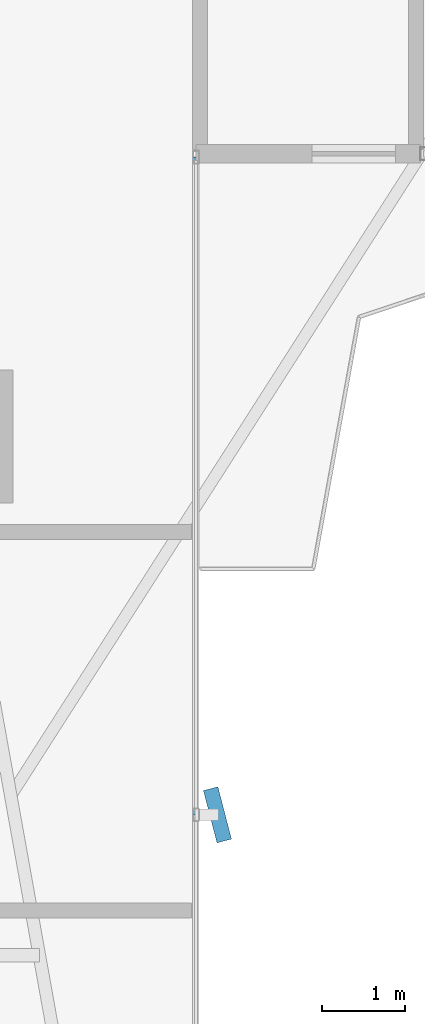
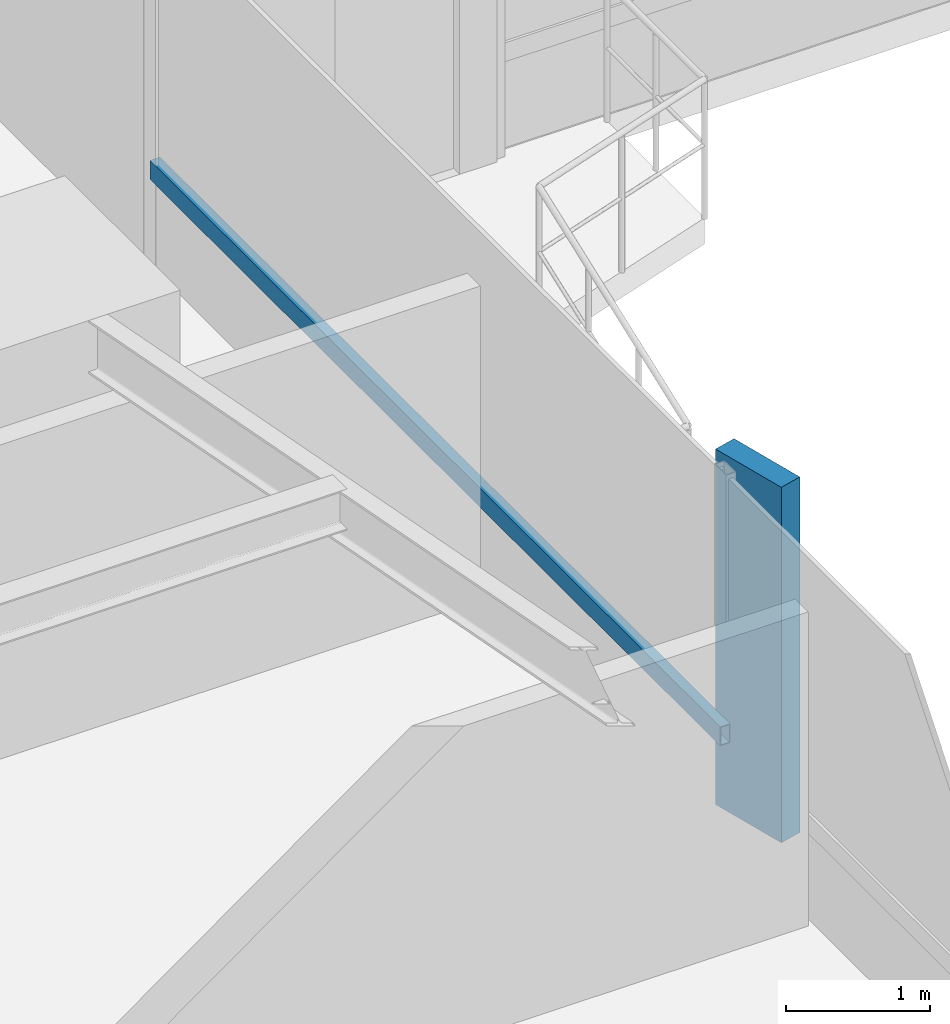
# One storey, part 5 of 25: 2 members, 1 element without a shape of its own.
"""IFC4 building model written with IfcOpenShell, lengths in metres."""

from ifc_helpers import new_model, si_unit, direction, frame, origin, origin_2d, place, context, subcontext, project, spatial, rectangle, hollow_rectangle, extrude, source, transform, mapped, material, material_profile, profile_set, type_object, element, aggregate, save


model = new_model("IFC4")

# Units and contexts
model_context = context("Model", 3, precision=1e-05, world=origin(), true_north=direction((0.0, 1.0)))
body_context = subcontext(model_context, "Body", "Model", "MODEL_VIEW")
ifc_project = project(units=[si_unit("LENGTHUNIT", "METRE"), si_unit("AREAUNIT", "SQUARE_METRE"), si_unit("VOLUMEUNIT", "CUBIC_METRE"), si_unit("PLANEANGLEUNIT", "RADIAN"), si_unit("MASSUNIT", "GRAM", prefix="KILO")], contexts=[model_context])

# Site, building, storey
site_placement = place(None, origin())
site = spatial("IfcSite", under=ifc_project, at=site_placement, CompositionType="ELEMENT")
building_placement = place(site_placement, origin())
building = spatial("IfcBuilding", under=site, at=building_placement, Name="Sahyath Konkavel Grand Hotel", CompositionType="ELEMENT")
storey_placement = place(building_placement, frame((0.0, 0.0, 57.75)))
storey = spatial("IfcBuildingStorey", under=building, at=storey_placement, Name="L15", CompositionType="ELEMENT", Elevation=57.75)

# Curtain wall, members
ifc_material_1 = material(Name="Anodised Bronze Aluminium & Low-E Glazing", Category="aluminium")
curtain_wall_type = type_object("IfcCurtainWallType", Name="CW-ZONE1", PredefinedType="NOTDEFINED", material=ifc_material_1)
curtain_wall_placement = place(storey_placement, origin())
curtain_wall = element("IfcCurtainWall", 1, at=curtain_wall_placement, inside=storey, type_object=curtain_wall_type, Name="L15 Unitised Curtain Wall F31", PredefinedType="NOTDEFINED")
ifc_material_2 = material(Name="Warm Buff Sandstone Cladding on Concrete C50/60", Category="masonry")
ifc_material_profile_1 = material_profile(ifc_material_2, rectangle(XDim=0.179931640625, YDim=0.64990234375, at=origin_2d()), Name="FIN 180x650")
ifc_profile_set_1 = profile_set([ifc_material_profile_1], Name="Warm Buff Sandstone Cladding on Concrete C50/60")
member_type_1 = type_object("IfcMemberType", Name="FIN-SANDSTONE-650", PredefinedType="MULLION", material=ifc_profile_set_1)
shared_shape_1 = source(origin(), body_context, "Body", "SweptSolid", [
    extrude(rectangle(XDim=0.179931640625, YDim=0.64990234375, at=origin_2d()), origin(), (0.0, 0.0, 1.0), 3.010009765625),
])
member_1_placement = place(storey_placement, frame((7.06005859375, -14.75, 0.050048828125), z_axis=(0.0, 0.0, 1.0), x_axis=(0.967884912253, 0.251393708421, 0.0)))
member_1 = element("IfcMember", 2, at=member_1_placement, type_object=member_type_1, Name="L15 Sandstone Vertical Solar Fin FIN F31-1", PredefinedType="MULLION", context=body_context, shape_type="MappedRepresentation", body=[
    mapped(shared_shape_1, transform((0.0, 0.0, 0.0), scale=1.0)),
])
ifc_material_3 = material(Name="Anodised Bronze Aluminium", Category="aluminium")
ifc_material_profile_2 = material_profile(ifc_material_3, hollow_rectangle(XDim=0.080078125, YDim=0.159912109375, WallThickness=0.006103515625, at=origin_2d()), Name="RHS 160x80x6")
ifc_profile_set_2 = profile_set([ifc_material_profile_2], Name="Anodised Bronze Aluminium")
member_type_2 = type_object("IfcMemberType", Name="CW-TRN-160", PredefinedType="USERDEFINED", material=ifc_profile_set_2)
shared_shape_2 = source(origin(), body_context, "Body", "SweptSolid", [
    extrude(hollow_rectangle(XDim=0.080078125, YDim=0.159912109375, WallThickness=0.006103515625, at=origin_2d()), origin(), (0.0, 0.0, 1.0), 7.909912109375),
])
member_2_placement = place(storey_placement, frame((6.800048828125, -14.75, 0.85009765625), z_axis=(0.0, 1.0, 0.0), x_axis=(-1.0, 0.0, 0.0)))
member_2 = element("IfcMember", 3, at=member_2_placement, type_object=member_type_2, Name="L15 Curtain Wall Transom F31-1-spandrel", ObjectType="TRANSOM", PredefinedType="USERDEFINED", context=body_context, shape_type="MappedRepresentation", body=[
    mapped(shared_shape_2, transform((0.0, 0.0, 0.0), scale=1.0)),
])
aggregate(curtain_wall, [member_1, member_2])

save(model, "model.ifc")
